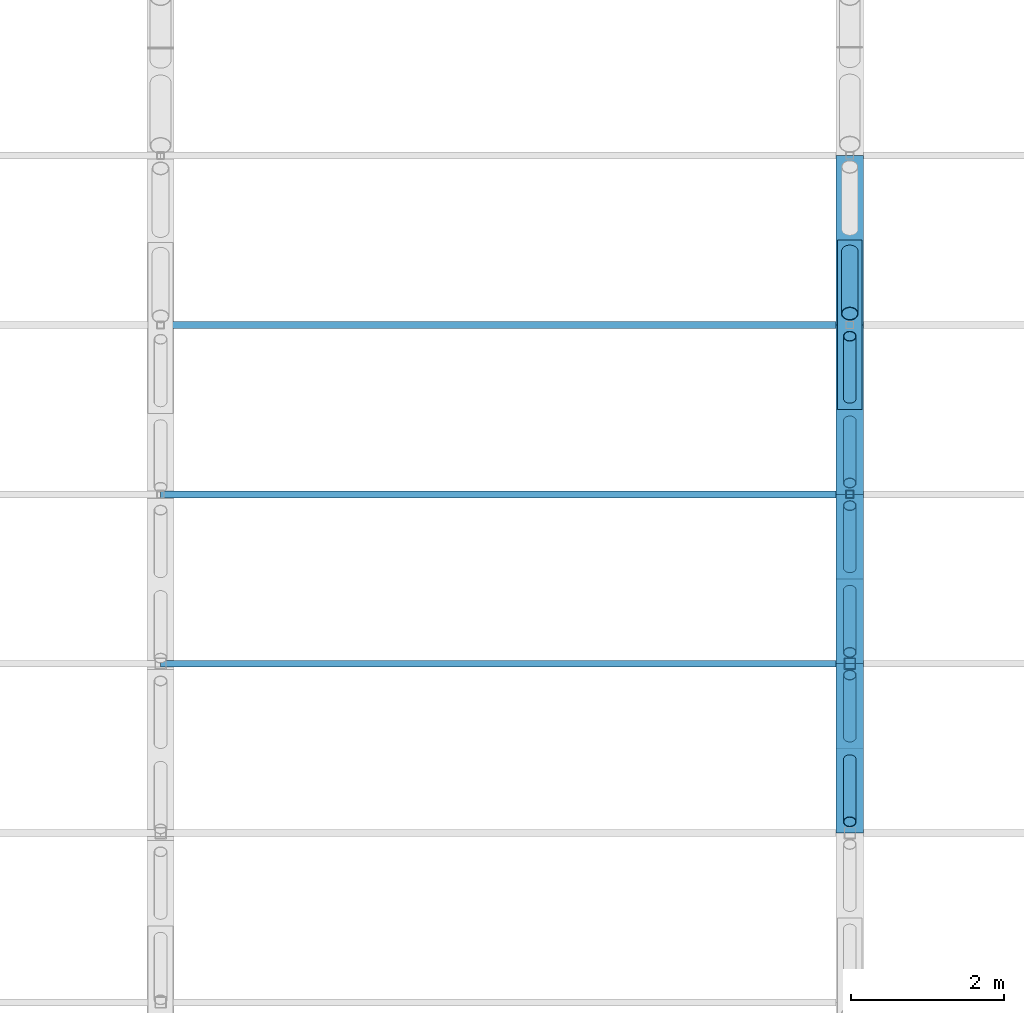
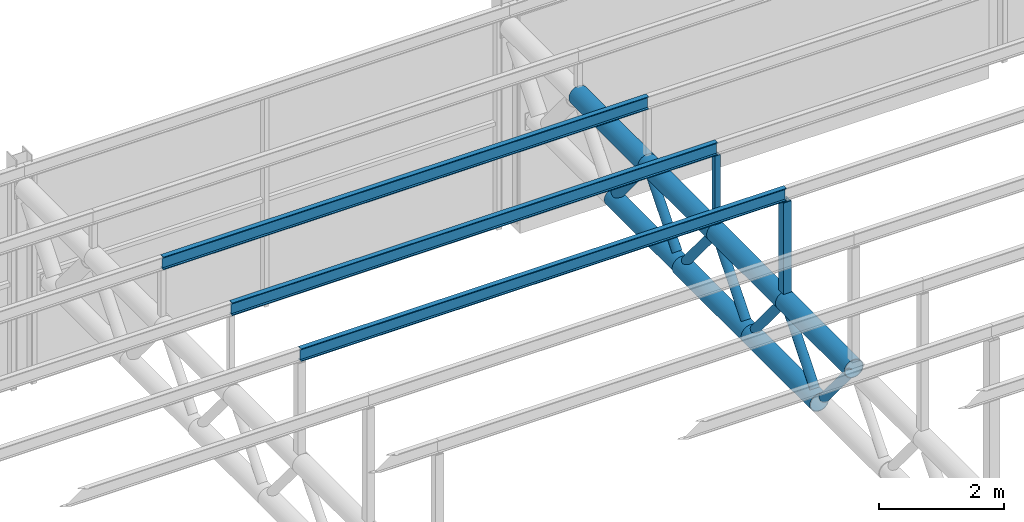
# One storey, part 38 of 138: 19 members.
"""IFC4 building model written with IfcOpenShell, lengths in metres."""

from ifc_helpers import new_model, si_unit, direction, frame, origin, origin_2d, place, context, subcontext, project, spatial, hollow_rectangle, hollow_circle, i_section, extrude, material, material_profile, profile_set, type_object, element, save


model = new_model("IFC4")

# Units and contexts
model_context = context("Model", 3, precision=1e-05, world=origin(), true_north=direction((0.0, 1.0)))
body_context = subcontext(model_context, "Body", "Model", "MODEL_VIEW")
ifc_project = project(units=[si_unit("LENGTHUNIT", "METRE"), si_unit("AREAUNIT", "SQUARE_METRE"), si_unit("VOLUMEUNIT", "CUBIC_METRE"), si_unit("PLANEANGLEUNIT", "RADIAN"), si_unit("MASSUNIT", "GRAM", prefix="KILO")], contexts=[model_context])

# Site, building, storey
site_placement = place(None, origin())
site = spatial("IfcSite", under=ifc_project, at=site_placement, CompositionType="ELEMENT")
building_placement = place(site_placement, origin())
building = spatial("IfcBuilding", under=site, at=building_placement, Name="Corbel Yard City Hall", CompositionType="ELEMENT")
storey_placement = place(building_placement, frame((0.0, 0.0, 10.5)))
storey = spatial("IfcBuildingStorey", under=building, at=storey_placement, Name="L02", CompositionType="ELEMENT", Elevation=10.5)

# Members
ifc_material_1 = material(Name="Steel Grade C350L0", Category="steel")
ifc_material_profile_1 = material_profile(ifc_material_1, hollow_circle(Radius=0.161865234375, WallThickness=0.0126953125, at=origin_2d()), Name="323.9x12.7CHS")
ifc_profile_set_1 = profile_set([ifc_material_profile_1], Name="Steel Grade C350L0")
member_type_1 = type_object("IfcMemberType", Name="Hall roof truss bottom chord 323.9x12.7CHS", PredefinedType="CHORD", material=ifc_profile_set_1)
member_1_placement = place(storey_placement, frame((63.0, 21.31787109375, 2.59228515625), z_axis=(0.0, 1.0, 0.0), x_axis=(-1.0, 0.0, 0.0)))
element("IfcMember", 1, at=member_1_placement, inside=storey, type_object=member_type_1, Name="Hall roof truss bottom chord 323.9x12.7CHS TC2", PredefinedType="CHORD", context=body_context, shape_type="SweptSolid", body=[
    extrude(hollow_circle(Radius=0.161865234375, WallThickness=0.0126953125, at=origin_2d()), origin(), (0.0, 0.0, 1.0), 2.2119140625),
])
ifc_material_profile_2 = material_profile(ifc_material_1, hollow_circle(Radius=0.177734375, WallThickness=0.0126953125, at=origin_2d()), Name="355.6x12.7CHS")
ifc_profile_set_2 = profile_set([ifc_material_profile_2], Name="Steel Grade C350L0")
member_type_2 = type_object("IfcMemberType", Name="Hall roof truss bottom chord 355.6x12.7CHS", PredefinedType="CHORD", material=ifc_profile_set_2)
for number, where, z_axis, x_axis, name in (
    (2, (63.0, 16.89404296875, 2.59228515625), (0.0, 1.0, 0.0), (-1.0, 0.0, 0.0), "Hall roof truss bottom chord 355.6x12.7CHS TC3"),
    (3, (63.0, 19.10595703125, 2.59228515625), (0.0, 1.0, 0.0), (-1.0, 0.0, 0.0), "Hall roof truss bottom chord 355.6x12.7CHS TC3"),
):
    element("IfcMember", number, at=place(storey_placement, frame(where, z_axis=z_axis, x_axis=x_axis)), inside=storey, type_object=member_type_2, Name=name, PredefinedType="CHORD", context=body_context, shape_type="SweptSolid", body=[
        extrude(hollow_circle(Radius=0.177734375, WallThickness=0.0126953125, at=origin_2d()), origin(), (0.0, 0.0, 1.0), 2.2119140625),
    ])
ifc_material_profile_3 = material_profile(ifc_material_1, hollow_circle(Radius=0.084228515625, WallThickness=0.007080078125, at=origin_2d()), Name="168.3x7.1CHS")
ifc_profile_set_3 = profile_set([ifc_material_profile_3], Name="Steel Grade C350L0")
member_type_3 = type_object("IfcMemberType", Name="Hall roof truss diagonal 168.3x7.1CHS", PredefinedType="STRUT", material=ifc_profile_set_3)
member_2_placement = place(storey_placement, frame((63.0, 15.93603515625, 3.744384765625), z_axis=(0.0, 0.639407153698, -0.768868318894), x_axis=(-1.0, 0.0, 0.0)))
element("IfcMember", 4, at=member_2_placement, inside=storey, type_object=member_type_3, Name="Hall roof truss diagonal 168.3x7.1CHS TD3", PredefinedType="STRUT", context=body_context, shape_type="SweptSolid", body=[
    extrude(hollow_circle(Radius=0.084228515625, WallThickness=0.007080078125, at=origin_2d()), origin(), (0.0, 0.0, 1.0), 1.267333984375),
])
for number, where, z_axis, x_axis, name in (
    (5, (63.0, 17.0419921875, 2.77001953125), (0.0, 0.639293245648, 0.768963032966), (-1.0, 0.0, 0.0), "Hall roof truss diagonal 168.3x7.1CHS TD3"),
    (6, (63.0, 18.14794921875, 3.744384765625), (0.0, 0.639293245648, -0.768963032966), (-1.0, 0.0, 0.0), "Hall roof truss diagonal 168.3x7.1CHS TD3"),
):
    element("IfcMember", number, at=place(storey_placement, frame(where, z_axis=z_axis, x_axis=x_axis)), inside=storey, type_object=member_type_3, Name=name, PredefinedType="STRUT", context=body_context, shape_type="SweptSolid", body=[
        extrude(hollow_circle(Radius=0.084228515625, WallThickness=0.007080078125, at=origin_2d()), origin(), (0.0, 0.0, 1.0), 1.26708984375),
    ])
for number, where, z_axis, x_axis, name in (
    (7, (63.0, 19.253662109375, 2.77001953125), (0.0, 0.639407153698, 0.768868318894), (-1.0, 0.0, 0.0), "Hall roof truss diagonal 168.3x7.1CHS TD3"),
    (8, (63.0, 20.359619140625, 3.744384765625), (0.0, 0.639407153698, -0.768868318894), (-1.0, 0.0, 0.0), "Hall roof truss diagonal 168.3x7.1CHS TD3"),
    (9, (63.0, 21.465576171875, 2.77001953125), (0.0, 0.639407153698, 0.768868318894), (-1.0, 0.0, 0.0), "Hall roof truss diagonal 168.3x7.1CHS TD3"),
):
    element("IfcMember", number, at=place(storey_placement, frame(where, z_axis=z_axis, x_axis=x_axis)), inside=storey, type_object=member_type_3, Name=name, PredefinedType="STRUT", context=body_context, shape_type="SweptSolid", body=[
        extrude(hollow_circle(Radius=0.084228515625, WallThickness=0.007080078125, at=origin_2d()), origin(), (0.0, 0.0, 1.0), 1.267333984375),
    ])
ifc_material_profile_4 = material_profile(ifc_material_1, hollow_circle(Radius=0.109619140625, WallThickness=0.00830078125, at=origin_2d()), Name="219.1x8.2CHS")
ifc_profile_set_4 = profile_set([ifc_material_profile_4], Name="Steel Grade C350L0")
member_type_4 = type_object("IfcMemberType", Name="Hall roof truss diagonal 219.1x8.2CHS", PredefinedType="STRUT", material=ifc_profile_set_4)
member_3_placement = place(storey_placement, frame((63.0, 22.571533203125, 3.744384765625), z_axis=(0.0, 0.639407153698, -0.768868318894), x_axis=(-1.0, 0.0, 0.0)))
element("IfcMember", 10, at=member_3_placement, inside=storey, type_object=member_type_4, Name="Hall roof truss diagonal 219.1x8.2CHS TD2", PredefinedType="STRUT", context=body_context, shape_type="SweptSolid", body=[
    extrude(hollow_circle(Radius=0.109619140625, WallThickness=0.00830078125, at=origin_2d()), origin(), (0.0, 0.0, 1.0), 1.267333984375),
])
ifc_material_profile_5 = material_profile(ifc_material_1, hollow_circle(Radius=0.177734375, WallThickness=0.0126953125, at=origin_2d()), Name="355.6x12.7CHS")
ifc_profile_set_5 = profile_set([ifc_material_profile_5], Name="Steel Grade C350L0")
member_type_5 = type_object("IfcMemberType", Name="Hall roof truss top chord 355.6x12.7CHS", PredefinedType="CHORD", material=ifc_profile_set_5)
for number, where, z_axis, x_axis, name in (
    (11, (63.0, 15.7880859375, 3.922119140625), (0.0, 1.0, 0.0), (-1.0, 0.0, 0.0), "Hall roof truss top chord 355.6x12.7CHS TC1"),
    (12, (63.0, 18.0, 3.922119140625), (0.0, 1.0, 0.0), (-1.0, 0.0, 0.0), "Hall roof truss top chord 355.6x12.7CHS TC1"),
    (13, (63.0, 20.2119140625, 3.922119140625), (0.0, 1.0, 0.0), (-1.0, 0.0, 0.0), "Hall roof truss top chord 355.6x12.7CHS TC1"),
    (14, (63.0, 22.423828125, 3.922119140625), (0.0, 1.0, 0.0), (-1.0, 0.0, 0.0), "Hall roof truss top chord 355.6x12.7CHS TC1"),
):
    element("IfcMember", number, at=place(storey_placement, frame(where, z_axis=z_axis, x_axis=x_axis)), inside=storey, type_object=member_type_5, Name=name, PredefinedType="CHORD", context=body_context, shape_type="SweptSolid", body=[
        extrude(hollow_circle(Radius=0.177734375, WallThickness=0.0126953125, at=origin_2d()), origin(), (0.0, 0.0, 1.0), 2.2119140625),
    ])
ifc_material_2 = material(Name="Steel Grade 300 (300 MPa yield)", Category="steel")
ifc_material_profile_6 = material_profile(ifc_material_2, i_section(OverallWidth=0.090087890625, OverallDepth=0.25, WebThickness=0.008056640625, FlangeThickness=0.014892578125, at=origin_2d()), Name="250PFC")
ifc_profile_set_6 = profile_set([ifc_material_profile_6], Name="Steel Grade 300 (300 MPa yield)")
member_type_6 = type_object("IfcMemberType", Name="Purlin 250PFC", PredefinedType="PURLIN", material=ifc_profile_set_6)
for number, where, z_axis, x_axis, name in (
    (15, (54.0, 18.0, 6.01611328125), (1.0, 0.0, 0.0), (0.0, 1.0, 0.0), "Purlin 250PFC PU1"),
    (16, (54.0, 20.2119140625, 5.57373046875), (1.0, 0.0, 0.0), (0.0, 1.0, 0.0), "Purlin 250PFC PU1"),
    (17, (54.0, 22.423828125, 5.13134765625), (1.0, 0.0, 0.0), (0.0, 1.0, 0.0), "Purlin 250PFC PU1"),
):
    element("IfcMember", number, at=place(storey_placement, frame(where, z_axis=z_axis, x_axis=x_axis)), inside=storey, type_object=member_type_6, Name=name, PredefinedType="PURLIN", context=body_context, shape_type="SweptSolid", body=[
        extrude(i_section(OverallWidth=0.090087890625, OverallDepth=0.25, WebThickness=0.008056640625, FlangeThickness=0.014892578125, at=origin_2d()), origin(), (0.0, 0.0, 1.0), 9.0),
    ])
ifc_material_3 = material(Name="Steel Grade C450L0", Category="steel")
ifc_material_profile_7 = material_profile(ifc_material_3, hollow_rectangle(XDim=0.10009765625, YDim=0.10009765625, WallThickness=0.006103515625, at=origin_2d()), Name="100x100x6.0SHS")
ifc_profile_set_7 = profile_set([ifc_material_profile_7], Name="Steel Grade C450L0")
member_type_7 = type_object("IfcMemberType", Name="Roof post 100x100x6.0SHS", PredefinedType="POST", material=ifc_profile_set_7)
member_4_placement = place(storey_placement, frame((63.0, 20.2119140625, 4.10009765625), z_axis=(0.0, 0.0, 1.0), x_axis=(1.0, 0.0, 0.0)))
element("IfcMember", 18, at=member_4_placement, inside=storey, type_object=member_type_7, Name="Roof post 100x100x6.0SHS RP3", PredefinedType="POST", context=body_context, shape_type="SweptSolid", body=[
    extrude(hollow_rectangle(XDim=0.10009765625, YDim=0.10009765625, WallThickness=0.006103515625, at=origin_2d()), origin(), (0.0, 0.0, 1.0), 1.3486328125),
])
ifc_material_profile_8 = material_profile(ifc_material_3, hollow_rectangle(XDim=0.14990234375, YDim=0.14990234375, WallThickness=0.009033203125, at=origin_2d()), Name="150x150x9.0SHS")
ifc_profile_set_8 = profile_set([ifc_material_profile_8], Name="Steel Grade C450L0")
member_type_8 = type_object("IfcMemberType", Name="Roof post 150x150x9.0SHS", PredefinedType="POST", material=ifc_profile_set_8)
member_5_placement = place(storey_placement, frame((63.0, 18.0, 4.10009765625), z_axis=(0.0, 0.0, 1.0), x_axis=(1.0, 0.0, 0.0)))
element("IfcMember", 19, at=member_5_placement, inside=storey, type_object=member_type_8, Name="Roof post 150x150x9.0SHS RP2", PredefinedType="POST", context=body_context, shape_type="SweptSolid", body=[
    extrude(hollow_rectangle(XDim=0.14990234375, YDim=0.14990234375, WallThickness=0.009033203125, at=origin_2d()), origin(), (0.0, 0.0, 1.0), 1.791015625),
])

save(model, "model.ifc")
